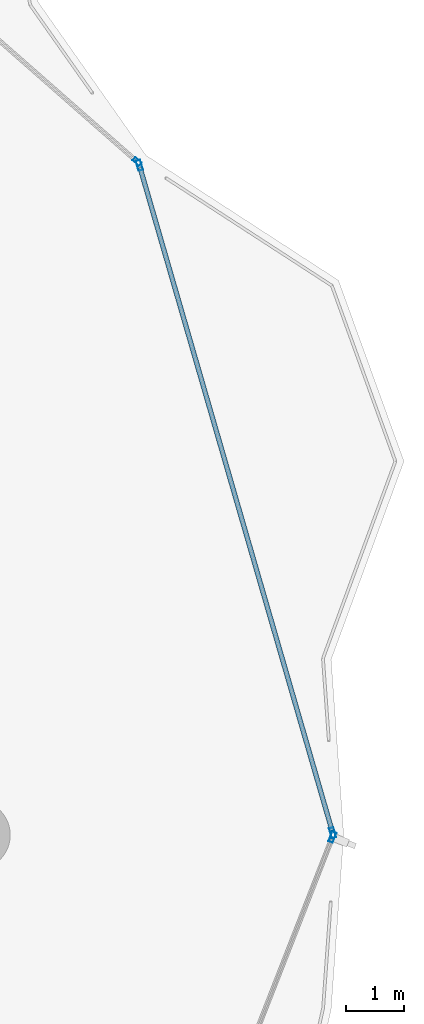
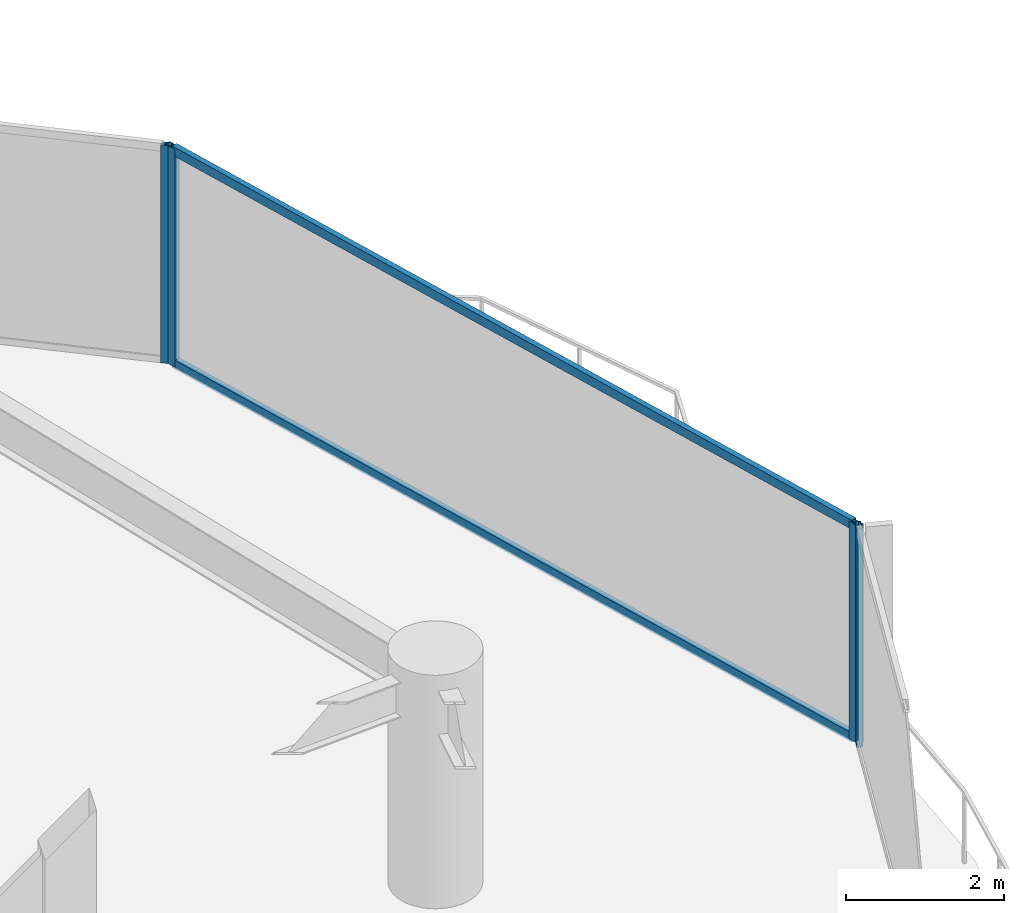
# One storey, part 24 of 34: 6 members, 3 elements without a shape of their own.
"""IFC4 building model written with IfcOpenShell, lengths in metres."""

from ifc_helpers import new_model, si_unit, direction, frame, origin, origin_2d, place, context, subcontext, project, spatial, hollow_rectangle, extrude, material, layer, layer_set, material_profile, profile_set, type_object, element, aggregate, save


model = new_model("IFC4")

# Units and contexts
model_context = context("Model", 3, precision=1e-05, world=origin(), true_north=direction((0.0, 1.0)))
body_context = subcontext(model_context, "Body", "Model", "MODEL_VIEW")
ifc_project = project(units=[si_unit("LENGTHUNIT", "METRE"), si_unit("AREAUNIT", "SQUARE_METRE"), si_unit("VOLUMEUNIT", "CUBIC_METRE"), si_unit("PLANEANGLEUNIT", "RADIAN"), si_unit("MASSUNIT", "GRAM", prefix="KILO")], contexts=[model_context])

# Site, building, storey
site_placement = place(None, origin())
site = spatial("IfcSite", under=ifc_project, at=site_placement, CompositionType="ELEMENT")
building_placement = place(site_placement, origin())
building = spatial("IfcBuilding", under=site, at=building_placement, Name="Kazevale Care Tower and Concert Hall", CompositionType="ELEMENT")
storey_placement = place(building_placement, frame((0.0, 0.0, 167.39990234375)))
storey = spatial("IfcBuildingStorey", under=building, at=storey_placement, Name="L44", CompositionType="ELEMENT", Elevation=167.39990234375)

# Curtain wall, member
ifc_material_1 = material(Name="Aluminium 6063-T6 and Low-E Glass", Category="aluminium")
ifc_layer_1 = layer(ifc_material_1, 0.179931640625)
ifc_layer_set_1 = layer_set([ifc_layer_1], Name="Aluminium 6063-T6 and Low-E Glass")
curtain_wall_type_1 = type_object("IfcCurtainWallType", Name="Convex Recessed Sunroom Curtain Wall CW-3", PredefinedType="NOTDEFINED", material=ifc_layer_set_1)
curtain_wall_1_placement = place(storey_placement, origin())
curtain_wall_1 = element("IfcCurtainWall", 1, at=curtain_wall_1_placement, inside=storey, type_object=curtain_wall_type_1, Name="cw:L44:f17", PredefinedType="NOTDEFINED")
ifc_material_2 = material(Name="Aluminium 6063-T6", Category="aluminium")
ifc_material_profile_1 = material_profile(ifc_material_2, hollow_rectangle(XDim=0.074951171875, YDim=0.14990234375, WallThickness=0.00390625, at=origin_2d()), Name="ALU75x150x4")
ifc_profile_set_1 = profile_set([ifc_material_profile_1], Name="Aluminium 6063-T6")
member_type_1 = type_object("IfcMemberType", Name="CW-3 Mullion ALU75x150x4", PredefinedType="MULLION", material=ifc_profile_set_1)
member_1_placement = place(storey_placement, frame((75.837890625, 49.607666015625, 0.0), z_axis=(0.0, 0.0, 1.0), x_axis=(0.659891732197, 0.751360700182, 0.0)))
member_1 = element("IfcMember", 2, at=member_1_placement, type_object=member_type_1, Name="CW-3 mullion 2", PredefinedType="MULLION", context=body_context, shape_type="SweptSolid", body=[
    extrude(hollow_rectangle(XDim=0.074951171875, YDim=0.14990234375, WallThickness=0.00390625, at=origin_2d()), origin(), (0.0, 0.0, 1.0), 3.360107421875),
])
aggregate(curtain_wall_1, [member_1])

ifc_layer_2 = layer(ifc_material_1, 0.179931640625)
ifc_layer_set_2 = layer_set([ifc_layer_2], Name="Aluminium 6063-T6 and Low-E Glass")
curtain_wall_type_2 = type_object("IfcCurtainWallType", Name="Waist & Upper Residential Curtain Wall CW-4", PredefinedType="NOTDEFINED", material=ifc_layer_set_2)
curtain_wall_2_placement = place(storey_placement, origin())
curtain_wall_2 = element("IfcCurtainWall", 3, at=curtain_wall_2_placement, inside=storey, type_object=curtain_wall_type_2, Name="cw:L44:f01", PredefinedType="NOTDEFINED")
ifc_material_profile_2 = material_profile(ifc_material_2, hollow_rectangle(XDim=0.080078125, YDim=0.179931640625, WallThickness=0.0048828125, at=origin_2d()), Name="ALU80x180x5")
ifc_profile_set_2 = profile_set([ifc_material_profile_2], Name="Aluminium 6063-T6")
member_type_2 = type_object("IfcMemberType", Name="CW-4 Mullion ALU80x180x5", PredefinedType="MULLION", material=ifc_profile_set_2)
member_2_placement = place(storey_placement, frame((79.205322265625, 37.962646484375, 0.0), z_axis=(0.0, 0.0, 1.0), x_axis=(0.931351746651, -0.36412075471, 0.0)))
member_2 = element("IfcMember", 4, at=member_2_placement, type_object=member_type_2, Name="CW-4 mullion 1", PredefinedType="MULLION", context=body_context, shape_type="SweptSolid", body=[
    extrude(hollow_rectangle(XDim=0.080078125, YDim=0.179931640625, WallThickness=0.0048828125, at=origin_2d()), origin(), (0.0, 0.0, 1.0), 3.360107421875),
])
aggregate(curtain_wall_2, [member_2])

# Curtain wall, members
curtain_wall_3_placement = place(storey_placement, origin())
curtain_wall_3 = element("IfcCurtainWall", 5, at=curtain_wall_3_placement, inside=storey, type_object=curtain_wall_type_2, Name="cw:L44:f18", PredefinedType="NOTDEFINED")
member_3_placement = place(storey_placement, frame((75.877197265625, 49.544677734375, 0.0), z_axis=(0.0, 0.0, 1.0), x_axis=(0.960541529182, 0.278136604418, 0.0)))
member_3 = element("IfcMember", 6, at=member_3_placement, type_object=member_type_2, Name="CW-4 mullion 1", PredefinedType="MULLION", context=body_context, shape_type="SweptSolid", body=[
    extrude(hollow_rectangle(XDim=0.080078125, YDim=0.179931640625, WallThickness=0.0048828125, at=origin_2d()), origin(), (0.0, 0.0, 1.0), 3.360107421875),
])
member_4_placement = place(storey_placement, frame((79.208984375, 38.038330078125, 0.0), z_axis=(0.0, 0.0, 1.0), x_axis=(0.960541529182, 0.278136604418, 0.0)))
member_4 = element("IfcMember", 7, at=member_4_placement, type_object=member_type_2, Name="CW-4 mullion 2", PredefinedType="MULLION", context=body_context, shape_type="SweptSolid", body=[
    extrude(hollow_rectangle(XDim=0.080078125, YDim=0.179931640625, WallThickness=0.0048828125, at=origin_2d()), origin(), (0.0, 0.0, 1.0), 3.360107421875),
])
ifc_material_profile_3 = material_profile(ifc_material_2, hollow_rectangle(XDim=0.080078125, YDim=0.139892578125, WallThickness=0.00390625, at=origin_2d()), Name="ALU80x140x4")
ifc_profile_set_3 = profile_set([ifc_material_profile_3], Name="Aluminium 6063-T6")
member_type_3 = type_object("IfcMemberType", Name="CW-4 Transom ALU80x140x4", PredefinedType="USERDEFINED", material=ifc_profile_set_3)
member_5_placement = place(storey_placement, frame((75.88818359375, 49.506103515625, 0.0400390625), z_axis=(0.278144763179, -0.960539166675, 0.0), x_axis=(0.960539166675, 0.278144763179, 0.0)))
member_5 = element("IfcMember", 8, at=member_5_placement, type_object=member_type_3, Name="CW-4 transom 1.1", ObjectType="TRANSOM", PredefinedType="USERDEFINED", context=body_context, shape_type="SweptSolid", body=[
    extrude(hollow_rectangle(XDim=0.080078125, YDim=0.139892578125, WallThickness=0.00390625, at=origin_2d()), origin(), (0.0, 0.0, 1.0), 11.898681640625),
])
member_6_placement = place(storey_placement, frame((75.88818359375, 49.506103515625, 3.320068359375), z_axis=(0.278144763179, -0.960539166675, 0.0), x_axis=(0.960539166675, 0.278144763179, 0.0)))
member_6 = element("IfcMember", 9, at=member_6_placement, type_object=member_type_3, Name="CW-4 transom 1.2", ObjectType="TRANSOM", PredefinedType="USERDEFINED", context=body_context, shape_type="SweptSolid", body=[
    extrude(hollow_rectangle(XDim=0.080078125, YDim=0.139892578125, WallThickness=0.00390625, at=origin_2d()), origin(), (0.0, 0.0, 1.0), 11.898681640625),
])
aggregate(curtain_wall_3, [member_3, member_4, member_5, member_6])

save(model, "model.ifc")
